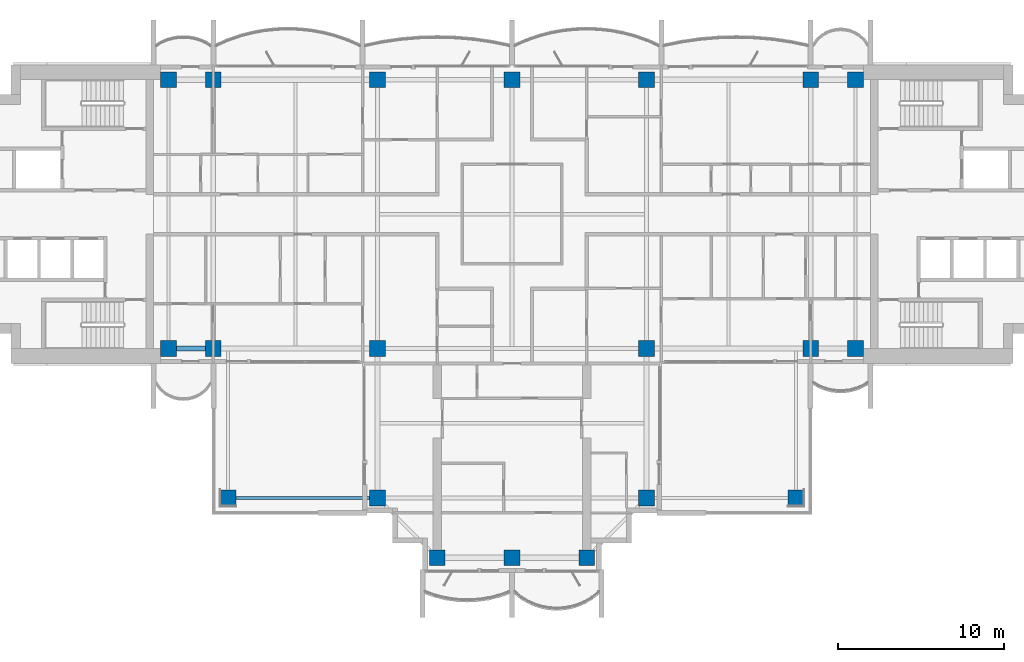
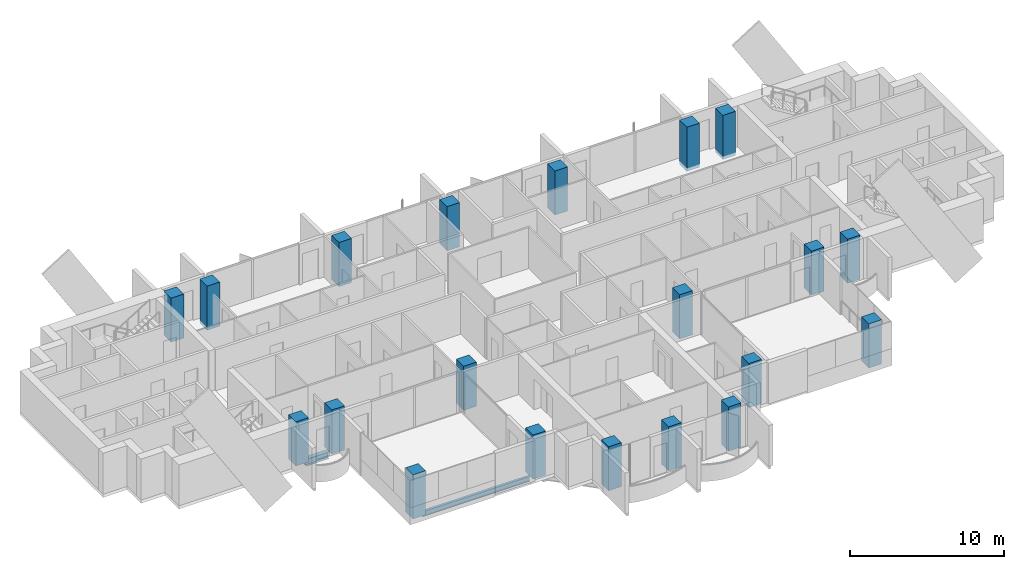
# One storey, part 1 of 17: 20 columns, 2 beams.
"""IFC4 building model written with IfcOpenShell, lengths in metres."""

from ifc_helpers import new_model, si_unit, direction, frame, origin, origin_2d, place, context, subcontext, project, spatial, rectangle, i_section, extrude, material, material_profile, profile_set, type_object, element, save


model = new_model("IFC4")

# Units and contexts
model_context = context("Model", 3, precision=1e-05, world=origin(), true_north=direction((0.0, 1.0)))
body_context = subcontext(model_context, "Body", "Model", "MODEL_VIEW")
ifc_project = project(units=[si_unit("LENGTHUNIT", "METRE"), si_unit("AREAUNIT", "SQUARE_METRE"), si_unit("VOLUMEUNIT", "CUBIC_METRE"), si_unit("PLANEANGLEUNIT", "RADIAN"), si_unit("MASSUNIT", "GRAM", prefix="KILO")], contexts=[model_context])

# Site, building, storey
site_placement = place(None, origin())
site = spatial("IfcSite", under=ifc_project, at=site_placement, CompositionType="ELEMENT")
building_placement = place(site_placement, origin())
building = spatial("IfcBuilding", under=site, at=building_placement, Name="Perihelion Cross Residences", CompositionType="ELEMENT")
storey_placement = place(building_placement, frame((0.0, 0.0, 208.60009765625)))
storey = spatial("IfcBuildingStorey", under=building, at=storey_placement, Name="L52", CompositionType="ELEMENT", Elevation=208.60009765625)

# Columns
ifc_material_1 = material(Name="Concrete C60/75", Category="concrete")
ifc_material_profile_1 = material_profile(ifc_material_1, rectangle(XDim=0.949951171875, YDim=0.949951171875, at=origin_2d()), Name="RC 950x950")
ifc_profile_set_1 = profile_set([ifc_material_profile_1], Name="Concrete C60/75")
column_type = type_object("IfcColumnType", Name="Reinforced concrete column 950x950 C60/75", PredefinedType="COLUMN", material=ifc_profile_set_1)
for number, where, z_axis, x_axis, name in (
    (1, (-20.699951171875, -8.10009765625, -0.25), (0.0, 0.0, 1.0), (1.0, 0.0, 0.0), "Column C017 L52 no. 1"),
    (2, (-20.699951171875, 8.10009765625, -0.25), (0.0, 0.0, 1.0), (1.0, 0.0, 0.0), "Column C010 L52 no. 1"),
    (3, (-18.0, -8.10009765625, -0.25), (0.0, 0.0, 1.0), (1.0, 0.0, 0.0), "Column C018 L52 no. 1"),
    (4, (-18.0, 8.10009765625, -0.25), (0.0, 0.0, 1.0), (1.0, 0.0, 0.0), "Column C011 L52 no. 1"),
    (5, (-8.10009765625, -17.10009765625, -0.25), (0.0, 0.0, 1.0), (1.0, 0.0, 0.0), "Column C031 L52 no. 1"),
    (6, (-8.10009765625, -8.10009765625, -0.25), (0.0, 0.0, 1.0), (1.0, 0.0, 0.0), "Column C019 L52 no. 1"),
    (7, (-8.10009765625, 8.10009765625, -0.25), (0.0, 0.0, 1.0), (1.0, 0.0, 0.0), "Column C012 L52 no. 1"),
    (8, (-4.5, -20.699951171875, -0.25), (0.0, 0.0, 1.0), (1.0, 0.0, 0.0), "Column C037 L52 no. 1"),
    (9, (0.0, -20.699951171875, -0.25), (0.0, 0.0, 1.0), (1.0, 0.0, 0.0), "Column C038 L52 no. 1"),
    (10, (0.0, 8.10009765625, -0.25), (0.0, 0.0, 1.0), (1.0, 0.0, 0.0), "Column C013 L52 no. 1"),
    (11, (4.5, -20.699951171875, -0.25), (0.0, 0.0, 1.0), (1.0, 0.0, 0.0), "Column C039 L52 no. 1"),
    (12, (8.10009765625, -17.10009765625, -0.25), (0.0, 0.0, 1.0), (1.0, 0.0, 0.0), "Column C035 L52 no. 1"),
    (13, (8.10009765625, -8.10009765625, -0.25), (0.0, 0.0, 1.0), (1.0, 0.0, 0.0), "Column C020 L52 no. 1"),
    (14, (8.10009765625, 8.10009765625, -0.25), (0.0, 0.0, 1.0), (1.0, 0.0, 0.0), "Column C014 L52 no. 1"),
    (15, (18.0, -8.10009765625, -0.25), (0.0, 0.0, 1.0), (1.0, 0.0, 0.0), "Column C021 L52 no. 1"),
    (16, (18.0, 8.10009765625, -0.25), (0.0, 0.0, 1.0), (1.0, 0.0, 0.0), "Column C015 L52 no. 1"),
    (17, (20.699951171875, -8.10009765625, -0.25), (0.0, 0.0, 1.0), (1.0, 0.0, 0.0), "Column C022 L52 no. 1"),
    (18, (20.699951171875, 8.10009765625, -0.25), (0.0, 0.0, 1.0), (1.0, 0.0, 0.0), "Column C016 L52 no. 1"),
    (19, (-17.10009765625, -17.10009765625, -0.25), (0.0, 0.0, 1.0), (1.0, 0.0, 0.0), "Column C030 L52 no. 1"),
    (20, (17.10009765625, -17.10009765625, -0.25), (0.0, 0.0, 1.0), (1.0, 0.0, 0.0), "Column C036 L52 no. 1"),
):
    element("IfcColumn", number, at=place(storey_placement, frame(where, z_axis=z_axis, x_axis=x_axis)), inside=storey, type_object=column_type, Name=name, PredefinedType="COLUMN", context=body_context, shape_type="SweptSolid", body=[
        extrude(rectangle(XDim=0.949951171875, YDim=0.949951171875, at=origin_2d()), origin(), (0.0, 0.0, 1.0), 3.5),
    ])

# Beams
ifc_material_2 = material(Name="Steel S355", Category="steel")
ifc_material_profile_2 = material_profile(ifc_material_2, i_section(OverallWidth=0.177978515625, OverallDepth=0.406005859375, WebThickness=0.0078125, FlangeThickness=0.0126953125, at=origin_2d()), Name="W410x60")
ifc_profile_set_2 = profile_set([ifc_material_profile_2], Name="Steel S355")
beam_type_1 = type_object("IfcBeamType", Name="Core edge beam W410x60", PredefinedType="BEAM", material=ifc_profile_set_2)
beam_1_placement = place(storey_placement, frame((-8.574951171875, -17.10009765625, -0.453125), z_axis=(-1.0, 0.0, 0.0), x_axis=(0.0, -1.0, 0.0)))
element("IfcBeam", 21, at=beam_1_placement, inside=storey, type_object=beam_type_1, Name="Core edge beam TB2 L52 corner no. 2", PredefinedType="BEAM", context=body_context, shape_type="SweptSolid", body=[
    extrude(i_section(OverallWidth=0.177978515625, OverallDepth=0.406005859375, WebThickness=0.0078125, FlangeThickness=0.0126953125, at=origin_2d()), origin(), (0.0, 0.0, 1.0), 8.050048828125),
])
ifc_material_3 = material(Name="Steel S355", Category="steel")
ifc_material_profile_3 = material_profile(ifc_material_3, i_section(OverallWidth=0.31201171875, OverallDepth=0.5439453125, WebThickness=0.0126953125, FlangeThickness=0.020263671875, at=origin_2d()), Name="W530x150")
ifc_profile_set_3 = profile_set([ifc_material_profile_3], Name="Steel S355")
beam_type_2 = type_object("IfcBeamType", Name="Edge beam W530x150", PredefinedType="SPANDREL", material=ifc_profile_set_3)
beam_2_placement = place(storey_placement, frame((-20.22509765625, -8.10009765625, -0.522216796875), z_axis=(1.0, 0.0, 0.0), x_axis=(0.0, 1.0, 0.0)))
element("IfcBeam", 22, at=beam_2_placement, inside=storey, type_object=beam_type_2, Name="Edge beam SB4 L52 no. 3", PredefinedType="SPANDREL", context=body_context, shape_type="SweptSolid", body=[
    extrude(i_section(OverallWidth=0.31201171875, OverallDepth=0.5439453125, WebThickness=0.0126953125, FlangeThickness=0.020263671875, at=origin_2d()), origin(), (0.0, 0.0, 1.0), 1.75),
])

save(model, "model.ifc")
